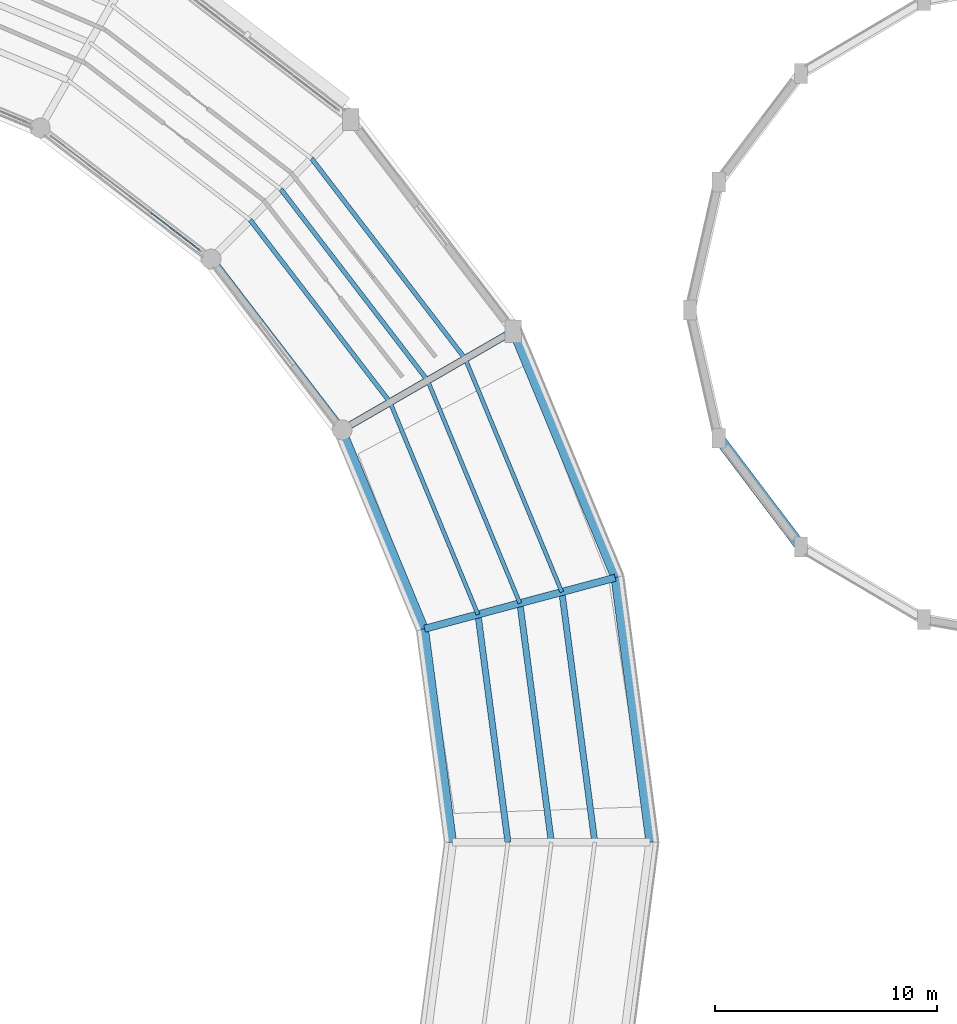
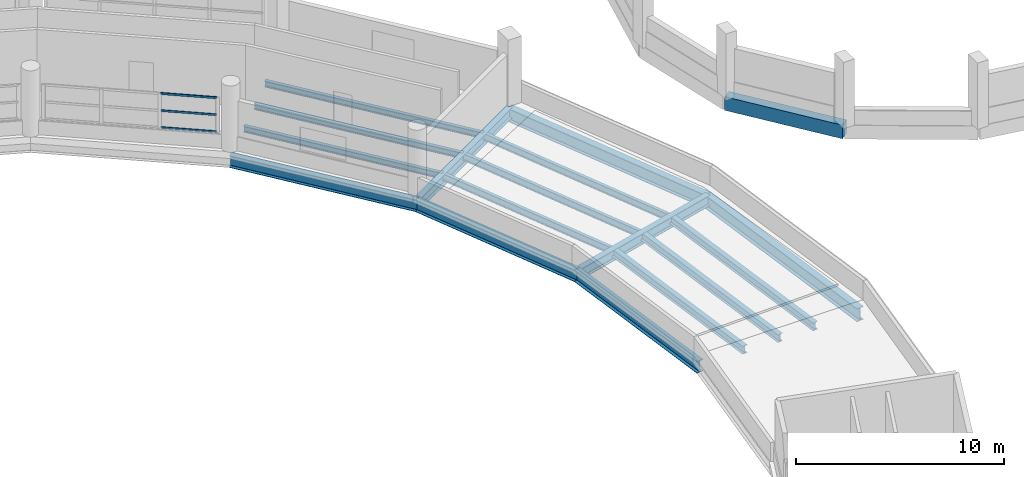
# One storey, part 68 of 108: 17 beams, 3 members, 1 element without a shape of its own.
"""IFC4 building model written with IfcOpenShell, lengths in metres."""

from ifc_helpers import new_model, si_unit, direction, frame, origin, origin_2d, place, context, subcontext, project, spatial, rectangle, hollow_rectangle, i_section, extrude, material, layer, layer_set, material_profile, profile_set, type_object, element, aggregate, save


model = new_model("IFC4")

# Units and contexts
model_context = context("Model", 3, precision=1e-05, world=origin(), true_north=direction((0.0, 1.0)))
body_context = subcontext(model_context, "Body", "Model", "MODEL_VIEW")
ifc_project = project(units=[si_unit("LENGTHUNIT", "METRE"), si_unit("AREAUNIT", "SQUARE_METRE"), si_unit("VOLUMEUNIT", "CUBIC_METRE"), si_unit("PLANEANGLEUNIT", "RADIAN"), si_unit("MASSUNIT", "GRAM", prefix="KILO")], contexts=[model_context])

# Site, building, storey
site_placement = place(None, origin())
site = spatial("IfcSite", under=ifc_project, at=site_placement, CompositionType="ELEMENT")
building_placement = place(site_placement, origin())
building = spatial("IfcBuilding", under=site, at=building_placement, Name="Vespera Passage Community Centre", CompositionType="ELEMENT")
storey_placement = place(building_placement, frame((0.0, 0.0, 12.60009765625)))
storey = spatial("IfcBuildingStorey", under=building, at=storey_placement, Name="L03", CompositionType="ELEMENT", Elevation=12.60009765625)

# Beams
ifc_material_1 = material(Name="Steel ASTM A992 Grade 50", Category="steel")
ifc_material_profile_1 = material_profile(ifc_material_1, i_section(OverallWidth=0.32763671875, OverallDepth=0.62841796875, WebThickness=0.0166015625, FlangeThickness=0.027587890625, FilletRadius=0.0126953125, at=origin_2d()), Name="W24X146")
ifc_profile_set_1 = profile_set([ifc_material_profile_1], Name="Steel ASTM A992 Grade 50")
beam_type_1 = type_object("IfcBeamType", Name="BM-G-W24X146", PredefinedType="BEAM", material=ifc_profile_set_1)
for number, where, z_axis, x_axis, name in (
    (1, (113.932373046875, 75.128173828125, -0.71435546875), (0.9659278487, 0.258811497245, 0.0), (-0.258811497245, 0.9659278487, 0.0), "V4 L03 Radial Girder 1"),
    (2, (110.216064453125, 84.10009765625, -0.71435546875), (0.866031643847, 0.499989191739, 0.0), (-0.499989191739, 0.866031643847, 0.0), "V4 L03 Radial Girder 2"),
):
    element("IfcBeam", number, at=place(storey_placement, frame(where, z_axis=z_axis, x_axis=x_axis)), inside=storey, type_object=beam_type_1, Name=name, PredefinedType="BEAM", context=body_context, shape_type="SweptSolid", body=[
        extrude(i_section(OverallWidth=0.32763671875, OverallDepth=0.62841796875, WebThickness=0.0166015625, FlangeThickness=0.027587890625, FilletRadius=0.0126953125, at=origin_2d()), origin(), (0.0, 0.0, 1.0), 8.900146484375),
    ])
ifc_material_2 = material(Name="Steel ASTM A992 Grade 50", Category="steel")
ifc_material_profile_2 = material_profile(ifc_material_2, i_section(OverallWidth=0.2041015625, OverallDepth=0.3505859375, WebThickness=0.008544921875, FlangeThickness=0.01513671875, FilletRadius=0.01513671875, at=origin_2d()), Name="W14X48")
ifc_profile_set_2 = profile_set([ifc_material_profile_2], Name="Steel ASTM A992 Grade 50")
beam_type_2 = type_object("IfcBeamType", Name="BM-J-W14X48", PredefinedType="JOIST", material=ifc_profile_set_2)
beam_1_placement = place(storey_placement, frame((112.374267578125, 85.345947265625, -0.575439453125), z_axis=(-0.608766367214, 0.793349551049, 0.0), x_axis=(-0.793349551049, -0.608766367214, 0.0)))
element("IfcBeam", 3, at=beam_1_placement, inside=storey, type_object=beam_type_2, Name="V4 L03 Floor Joist 2.1", PredefinedType="JOIST", context=body_context, shape_type="SweptSolid", body=[
    extrude(i_section(OverallWidth=0.2041015625, OverallDepth=0.3505859375, WebThickness=0.008544921875, FlangeThickness=0.01513671875, FilletRadius=0.01513671875, at=origin_2d()), origin(), (0.0, 0.0, 1.0), 10.36181640625),
])
beam_2_placement = place(storey_placement, frame((114.070068359375, 86.324951171875, -0.575439453125), z_axis=(-0.608772775584, 0.793344633629, 0.0), x_axis=(-0.793344633629, -0.608772775584, 0.0)))
element("IfcBeam", 4, at=beam_2_placement, inside=storey, type_object=beam_type_2, Name="V4 L03 Floor Joist 2.2", PredefinedType="JOIST", context=body_context, shape_type="SweptSolid", body=[
    extrude(i_section(OverallWidth=0.2041015625, OverallDepth=0.3505859375, WebThickness=0.008544921875, FlangeThickness=0.01513671875, FilletRadius=0.01513671875, at=origin_2d()), origin(), (0.0, 0.0, 1.0), 10.873046875),
])
beam_3_placement = place(storey_placement, frame((115.765625, 87.303955078125, -0.575439453125), z_axis=(-0.608765110442, 0.793350515415, 0.0), x_axis=(-0.793350515415, -0.608765110442, 0.0)))
element("IfcBeam", 5, at=beam_3_placement, inside=storey, type_object=beam_type_2, Name="V4 L03 Floor Joist 2.3", PredefinedType="JOIST", context=body_context, shape_type="SweptSolid", body=[
    extrude(i_section(OverallWidth=0.2041015625, OverallDepth=0.3505859375, WebThickness=0.008544921875, FlangeThickness=0.01513671875, FilletRadius=0.01513671875, at=origin_2d()), origin(), (0.0, 0.0, 1.0), 11.384033203125),
])
ifc_material_3 = material(Name="Steel ASTM A992 Grade 50", Category="steel")
ifc_material_profile_3 = material_profile(ifc_material_3, i_section(OverallWidth=0.180908203125, OverallDepth=0.417236328125, WebThickness=0.010986328125, FlangeThickness=0.018310546875, FilletRadius=0.01025390625, at=origin_2d()), Name="W16X57")
ifc_profile_set_3 = profile_set([ifc_material_profile_3], Name="Steel ASTM A992 Grade 50")
beam_type_3 = type_object("IfcBeamType", Name="BM-J-W16X57", PredefinedType="JOIST", material=ifc_profile_set_3)
beam_4_placement = place(storey_placement, frame((116.339599609375, 75.773193359375, -0.60888671875), z_axis=(-0.382697233288, 0.923873815861, 0.0), x_axis=(-0.923873815861, -0.382697233288, 0.0)))
element("IfcBeam", 6, at=beam_4_placement, inside=storey, type_object=beam_type_3, Name="V4 L03 Floor Joist 1.1", PredefinedType="JOIST", context=body_context, shape_type="SweptSolid", body=[
    extrude(i_section(OverallWidth=0.180908203125, OverallDepth=0.417236328125, WebThickness=0.010986328125, FlangeThickness=0.018310546875, FilletRadius=0.01025390625, at=origin_2d()), origin(), (0.0, 0.0, 1.0), 10.361572265625),
])
beam_5_placement = place(storey_placement, frame((118.230712890625, 76.27978515625, -0.60888671875), z_axis=(-0.382667773212, 0.923886018589, 0.0), x_axis=(-0.923886018589, -0.382667773212, 0.0)))
element("IfcBeam", 7, at=beam_5_placement, inside=storey, type_object=beam_type_3, Name="V4 L03 Floor Joist 1.2", PredefinedType="JOIST", context=body_context, shape_type="SweptSolid", body=[
    extrude(i_section(OverallWidth=0.180908203125, OverallDepth=0.417236328125, WebThickness=0.010986328125, FlangeThickness=0.018310546875, FilletRadius=0.01025390625, at=origin_2d()), origin(), (0.0, 0.0, 1.0), 10.872802734375),
])
beam_6_placement = place(storey_placement, frame((120.1220703125, 76.78662109375, -0.60888671875), z_axis=(-0.382685152097, 0.923878820173, 0.0), x_axis=(-0.923878820173, -0.382685152097, 0.0)))
element("IfcBeam", 8, at=beam_6_placement, inside=storey, type_object=beam_type_3, Name="V4 L03 Floor Joist 1.3", PredefinedType="JOIST", context=body_context, shape_type="SweptSolid", body=[
    extrude(i_section(OverallWidth=0.180908203125, OverallDepth=0.417236328125, WebThickness=0.010986328125, FlangeThickness=0.018310546875, FilletRadius=0.01025390625, at=origin_2d()), origin(), (0.0, 0.0, 1.0), 11.3837890625),
])
ifc_material_4 = material(Name="Steel ASTM A992 Grade 50", Category="steel")
ifc_material_profile_4 = material_profile(ifc_material_4, i_section(OverallWidth=0.280517578125, OverallDepth=0.46240234375, WebThickness=0.0107421875, FlangeThickness=0.017333984375, FilletRadius=0.01025390625, at=origin_2d()), Name="W18X76")
ifc_profile_set_4 = profile_set([ifc_material_profile_4], Name="Steel ASTM A992 Grade 50")
beam_type_4 = type_object("IfcBeamType", Name="BM-J-W18X76", PredefinedType="JOIST", material=ifc_profile_set_4)
beam_7_placement = place(storey_placement, frame((117.69189453125, 65.5, -0.63134765625), z_axis=(-0.130507537947, 0.991447317077, 0.0), x_axis=(-0.991447317077, -0.130507537947, 0.0)))
element("IfcBeam", 9, at=beam_7_placement, inside=storey, type_object=beam_type_4, Name="V4 L03 Floor Joist 0.1", PredefinedType="JOIST", context=body_context, shape_type="SweptSolid", body=[
    extrude(i_section(OverallWidth=0.280517578125, OverallDepth=0.46240234375, WebThickness=0.0107421875, FlangeThickness=0.017333984375, FilletRadius=0.01025390625, at=origin_2d()), origin(), (0.0, 0.0, 1.0), 10.36181640625),
])
beam_8_placement = place(storey_placement, frame((119.64990234375, 65.5, -0.63134765625), z_axis=(-0.130526537014, 0.991444815981, 0.0), x_axis=(-0.991444815981, -0.130526537014, 0.0)))
element("IfcBeam", 10, at=beam_8_placement, inside=storey, type_object=beam_type_4, Name="V4 L03 Floor Joist 0.2", PredefinedType="JOIST", context=body_context, shape_type="SweptSolid", body=[
    extrude(i_section(OverallWidth=0.280517578125, OverallDepth=0.46240234375, WebThickness=0.0107421875, FlangeThickness=0.017333984375, FilletRadius=0.01025390625, at=origin_2d()), origin(), (0.0, 0.0, 1.0), 10.872802734375),
])
beam_9_placement = place(storey_placement, frame((121.60791015625, 65.5, -0.63134765625), z_axis=(-0.130519974222, 0.991445679969, 0.0), x_axis=(-0.991445679969, -0.130519974222, 0.0)))
element("IfcBeam", 11, at=beam_9_placement, inside=storey, type_object=beam_type_4, Name="V4 L03 Floor Joist 0.3", PredefinedType="JOIST", context=body_context, shape_type="SweptSolid", body=[
    extrude(i_section(OverallWidth=0.280517578125, OverallDepth=0.46240234375, WebThickness=0.0107421875, FlangeThickness=0.017333984375, FilletRadius=0.01025390625, at=origin_2d()), origin(), (0.0, 0.0, 1.0), 11.384033203125),
])
ifc_material_5 = material(Name="Concrete f'c 35 MPa", Category="concrete")
ifc_material_profile_5 = material_profile(ifc_material_5, rectangle(XDim=0.5, YDim=0.800048828125, at=origin_2d()), Name="RC500X800")
ifc_profile_set_5 = profile_set([ifc_material_profile_5], Name="Concrete f'c 35 MPa")
beam_type_5 = type_object("IfcBeamType", Name="BM-SP-500X800E", PredefinedType="SPANDREL", material=ifc_profile_set_5)
beam_10_placement = place(storey_placement, frame((127.20166015625, 83.721435546875, -0.400146484375), z_axis=(0.603409203322, -0.797431710773, 0.0), x_axis=(0.797431710773, 0.603409203322, 0.0)))
element("IfcBeam", 12, at=beam_10_placement, inside=storey, type_object=beam_type_5, Name="V2 L03 Perimeter Spandrel 10", PredefinedType="SPANDREL", context=body_context, shape_type="SweptSolid", body=[
    extrude(rectangle(XDim=0.5, YDim=0.800048828125, at=origin_2d()), origin(), (0.0, 0.0, 1.0), 6.14306640625),
])
ifc_material_6 = material(Name="Steel ASTM A992 Grade 50", Category="steel")
ifc_material_profile_6 = material_profile(ifc_material_6, i_section(OverallWidth=0.3544921875, OverallDepth=0.695556640625, WebThickness=0.015380859375, FlangeThickness=0.024658203125, FilletRadius=0.01513671875, at=origin_2d()), Name="W27X146")
ifc_profile_set_6 = profile_set([ifc_material_profile_6], Name="Steel ASTM A992 Grade 50")
beam_type_6 = type_object("IfcBeamType", Name="BM-SP-W27X146E", PredefinedType="SPANDREL", material=ifc_profile_set_6)
for number, where, z_axis, x_axis, name in (
    (13, (115.199951171875, 65.5, -0.747802734375), (-0.130526697639, 0.991444794834, 0.0), (-0.991444794834, -0.130526697639, 0.0), "V4 L03 Inner Spandrel 0"),
    (14, (113.932373046875, 75.128173828125, -0.747802734375), (-0.382684844258, 0.923878947685, 0.0), (-0.923878947685, -0.382684844258, 0.0), "V4 L03 Inner Spandrel 1"),
):
    element("IfcBeam", number, at=place(storey_placement, frame(where, z_axis=z_axis, x_axis=x_axis)), inside=storey, type_object=beam_type_6, Name=name, PredefinedType="SPANDREL", context=body_context, shape_type="SweptSolid", body=[
        extrude(i_section(OverallWidth=0.3544921875, OverallDepth=0.695556640625, WebThickness=0.015380859375, FlangeThickness=0.024658203125, FilletRadius=0.01513671875, at=origin_2d()), origin(), (0.0, 0.0, 1.0), 9.711181640625),
    ])
beam_11_placement = place(storey_placement, frame((110.216064453125, 84.10009765625, -0.747802734375), z_axis=(-0.60875291963, 0.793359869694, 0.0), x_axis=(-0.793359869694, -0.60875291963, 0.0)))
element("IfcBeam", 15, at=beam_11_placement, inside=storey, type_object=beam_type_6, Name="V4 L03 Inner Spandrel 2", PredefinedType="SPANDREL", context=body_context, shape_type="SweptSolid", body=[
    extrude(i_section(OverallWidth=0.3544921875, OverallDepth=0.695556640625, WebThickness=0.015380859375, FlangeThickness=0.024658203125, FilletRadius=0.01513671875, at=origin_2d()), origin(), (0.0, 0.0, 1.0), 9.7109375),
])
ifc_material_7 = material(Name="Steel ASTM A992 Grade 50", Category="steel")
ifc_material_profile_7 = material_profile(ifc_material_7, i_section(OverallWidth=0.382080078125, OverallDepth=0.779296875, WebThickness=0.01806640625, FlangeThickness=0.030029296875, FilletRadius=0.0166015625, at=origin_2d()), Name="W30X191")
ifc_profile_set_7 = profile_set([ifc_material_profile_7], Name="Steel ASTM A992 Grade 50")
beam_type_7 = type_object("IfcBeamType", Name="BM-SP-W30X191E", PredefinedType="SPANDREL", material=ifc_profile_set_7)
beam_12_placement = place(storey_placement, frame((124.10009765625, 65.5, -0.789794921875), z_axis=(-0.130523782115, 0.991445178667, 0.0), x_axis=(-0.991445178667, -0.130523782115, 0.0)))
element("IfcBeam", 16, at=beam_12_placement, inside=storey, type_object=beam_type_7, Name="V4 L03 Outer Spandrel 0", PredefinedType="SPANDREL", context=body_context, shape_type="SweptSolid", body=[
    extrude(i_section(OverallWidth=0.382080078125, OverallDepth=0.779296875, WebThickness=0.01806640625, FlangeThickness=0.030029296875, FilletRadius=0.0166015625, at=origin_2d()), origin(), (0.0, 0.0, 1.0), 12.03466796875),
])
beam_13_placement = place(storey_placement, frame((122.529296875, 77.431640625, -0.789794921875), z_axis=(-0.382688629799, 0.923877379647, 0.0), x_axis=(-0.923877379647, -0.382688629799, 0.0)))
element("IfcBeam", 17, at=beam_13_placement, inside=storey, type_object=beam_type_7, Name="V4 L03 Outer Spandrel 1", PredefinedType="SPANDREL", context=body_context, shape_type="SweptSolid", body=[
    extrude(i_section(OverallWidth=0.382080078125, OverallDepth=0.779296875, WebThickness=0.01806640625, FlangeThickness=0.030029296875, FilletRadius=0.0166015625, at=origin_2d()), origin(), (0.0, 0.0, 1.0), 12.034423828125),
])

# Curtain wall, members
ifc_material_8 = material(Name="Anodized aluminium 6063-T6", Category="aluminium")
ifc_layer = layer(ifc_material_8, 0.159912109375)
ifc_layer_set = layer_set([ifc_layer], Name="Anodized aluminium 6063-T6")
curtain_wall_type = type_object("IfcCurtainWallType", Name="CW-38E", PredefinedType="NOTDEFINED", material=ifc_layer_set)
curtain_wall_placement = place(storey_placement, origin())
curtain_wall = element("IfcCurtainWall", 18, at=curtain_wall_placement, inside=storey, type_object=curtain_wall_type, Name="V4 L03 Inner Court Curtain Wall 3", PredefinedType="NOTDEFINED")
ifc_material_9 = material(Name="Anodized aluminium 6063-T6", Category="aluminium")
ifc_material_profile_8 = material_profile(ifc_material_9, hollow_rectangle(XDim=0.06005859375, YDim=0.1201171875, WallThickness=0.00390625, InnerFilletRadius=0.001953125, OuterFilletRadius=0.00390625, at=origin_2d()), Name="ALU120X60X4")
ifc_profile_set_8 = profile_set([ifc_material_profile_8], Name="Anodized aluminium 6063-T6")
member_type = type_object("IfcMemberType", Name="MB-CWT-120E", PredefinedType="USERDEFINED", material=ifc_profile_set_8)
member_1_placement = place(storey_placement, frame((103.7744140625, 92.211181640625, 0.849853515625), z_axis=(-0.793371617318, 0.608737609183, 0.0), x_axis=(-0.608737609183, -0.793371617318, 0.0)))
member_1 = element("IfcMember", 19, at=member_1_placement, type_object=member_type, Name="CW-38E transom 1.1", ObjectType="TRANSOM", PredefinedType="USERDEFINED", context=body_context, shape_type="SweptSolid", body=[
    extrude(hollow_rectangle(XDim=0.06005859375, YDim=0.1201171875, WallThickness=0.00390625, InnerFilletRadius=0.001953125, OuterFilletRadius=0.00390625, at=origin_2d()), origin(), (0.0, 0.0, 1.0), 2.729248046875),
])
member_2_placement = place(storey_placement, frame((103.7744140625, 92.211181640625, 1.844482421875), z_axis=(-0.793371617318, 0.608737609183, 0.0), x_axis=(-0.608737609183, -0.793371617318, 0.0)))
member_2 = element("IfcMember", 20, at=member_2_placement, type_object=member_type, Name="CW-38E transom 1.2", ObjectType="TRANSOM", PredefinedType="USERDEFINED", context=body_context, shape_type="SweptSolid", body=[
    extrude(hollow_rectangle(XDim=0.06005859375, YDim=0.1201171875, WallThickness=0.00390625, InnerFilletRadius=0.001953125, OuterFilletRadius=0.00390625, at=origin_2d()), origin(), (0.0, 0.0, 1.0), 2.729248046875),
])
member_3_placement = place(storey_placement, frame((103.7744140625, 92.211181640625, 2.83935546875), z_axis=(-0.793371617318, 0.608737609183, 0.0), x_axis=(-0.608737609183, -0.793371617318, 0.0)))
member_3 = element("IfcMember", 21, at=member_3_placement, type_object=member_type, Name="CW-38E transom 1.3", ObjectType="TRANSOM", PredefinedType="USERDEFINED", context=body_context, shape_type="SweptSolid", body=[
    extrude(hollow_rectangle(XDim=0.06005859375, YDim=0.1201171875, WallThickness=0.00390625, InnerFilletRadius=0.001953125, OuterFilletRadius=0.00390625, at=origin_2d()), origin(), (0.0, 0.0, 1.0), 2.729248046875),
])
aggregate(curtain_wall, [member_1, member_2, member_3])

save(model, "model.ifc")
